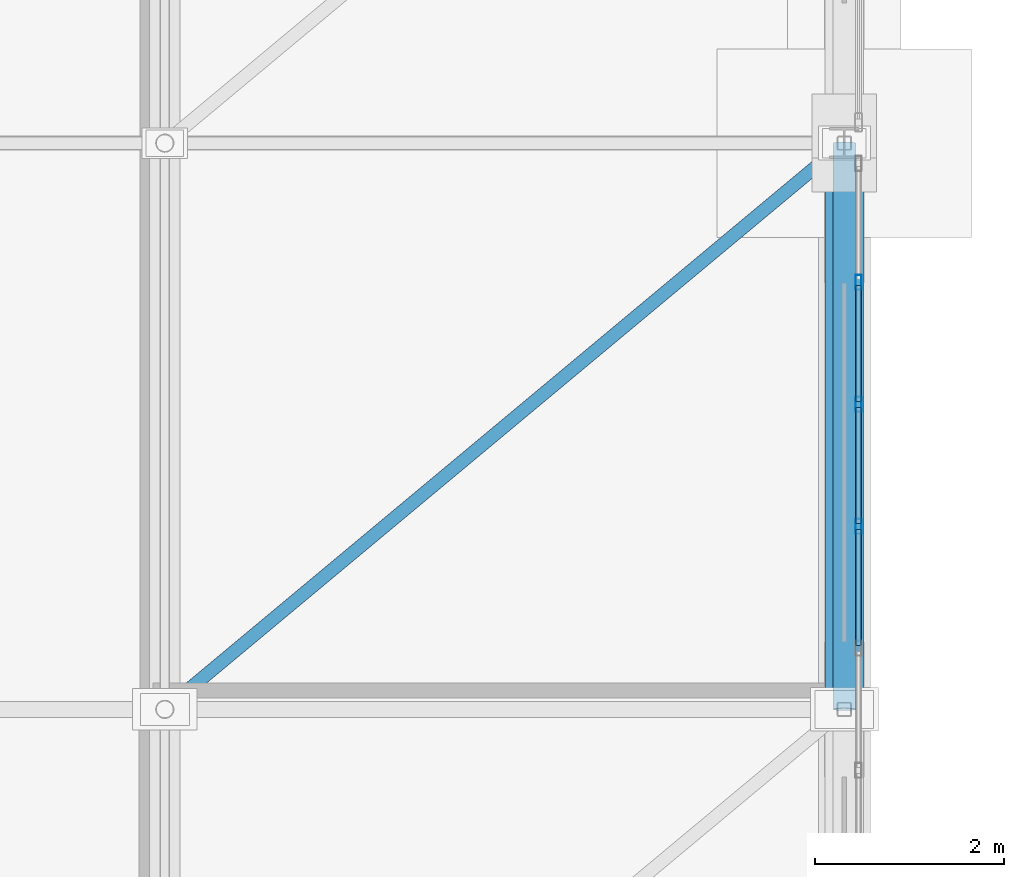
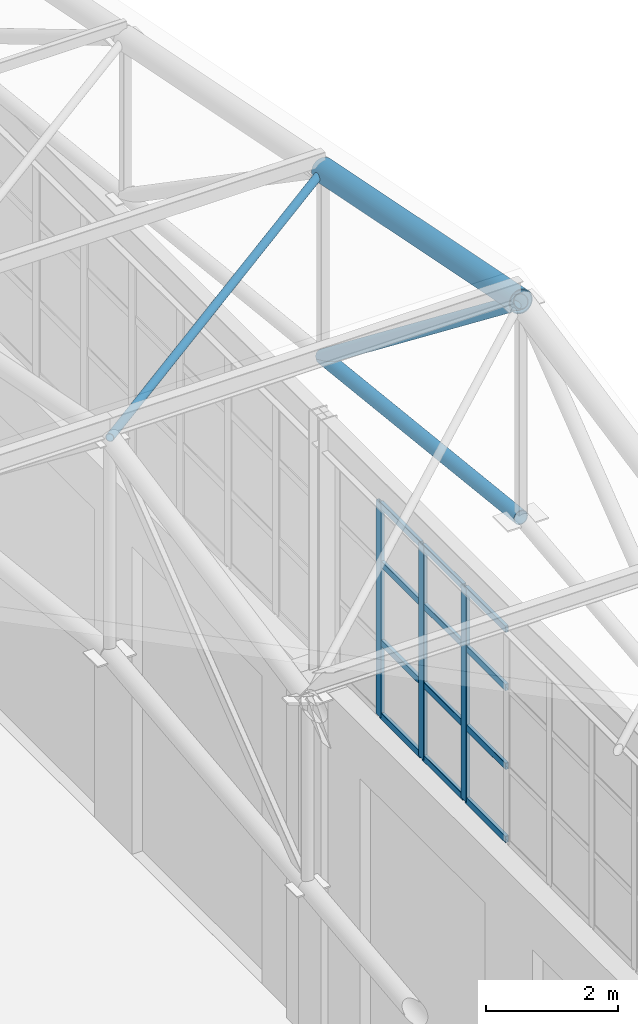
# One storey, part 193 of 293: 19 members, 1 element without a shape of its own.
"""IFC4 building model written with IfcOpenShell, lengths in metres."""

from ifc_helpers import new_model, si_unit, direction, frame, origin, origin_2d, place, context, subcontext, project, spatial, hollow_rectangle, hollow_circle, extrude, material, layer, layer_set, material_profile, profile_set, type_object, element, aggregate, save


model = new_model("IFC4")

# Units and contexts
model_context = context("Model", 3, precision=1e-05, world=origin(), true_north=direction((0.0, 1.0)))
body_context = subcontext(model_context, "Body", "Model", "MODEL_VIEW")
ifc_project = project(units=[si_unit("LENGTHUNIT", "METRE"), si_unit("AREAUNIT", "SQUARE_METRE"), si_unit("VOLUMEUNIT", "CUBIC_METRE"), si_unit("PLANEANGLEUNIT", "RADIAN"), si_unit("MASSUNIT", "GRAM", prefix="KILO")], contexts=[model_context])

# Site, building, storey
site_placement = place(None, origin())
site = spatial("IfcSite", under=ifc_project, at=site_placement, CompositionType="ELEMENT")
building_placement = place(site_placement, origin())
building = spatial("IfcBuilding", under=site, at=building_placement, Name="Kemerveld Promenade Tramway Depot", CompositionType="ELEMENT")
storey_placement = place(building_placement, origin())
storey = spatial("IfcBuildingStorey", under=building, at=storey_placement, Name="L00", CompositionType="ELEMENT", Elevation=0.0)

# Curtain wall, members
ifc_material_1 = material(Name="Bronze anodised aluminium and solar glass", Category="aluminium")
ifc_layer = layer(ifc_material_1, 0.159912109375)
ifc_layer_set = layer_set([ifc_layer], Name="CW-SYS-13")
curtain_wall_type = type_object("IfcCurtainWallType", Name="CW-SYS-13", PredefinedType="USERDEFINED", material=ifc_layer_set)
curtain_wall_placement = place(storey_placement, origin())
curtain_wall = element("IfcCurtainWall", 1, at=curtain_wall_placement, inside=storey, type_object=curtain_wall_type, Name="CW-V1-E-03", ObjectType="GLAZED_CURTAIN_WALL", PredefinedType="USERDEFINED")
ifc_material_2 = material(Name="Bronze anodised aluminium", Category="aluminium")
ifc_material_profile_1 = material_profile(ifc_material_2, hollow_rectangle(XDim=0.06494140625, YDim=0.159912109375, WallThickness=0.00390625, InnerFilletRadius=0.001953125, OuterFilletRadius=0.00390625, at=origin_2d()), Name="CW-MUL-160x65")
ifc_profile_set_1 = profile_set([ifc_material_profile_1], Name="Bronze anodised aluminium")
member_type_1 = type_object("IfcMemberType", Name="CW-MUL-A", PredefinedType="MULLION", material=ifc_profile_set_1)
member_1_placement = place(storey_placement, frame((187.35009765625, 118.52392578125, 6.64990234375), z_axis=(0.0, 0.0, 1.0), x_axis=(1.0, 0.0, 0.0)))
member_1 = element("IfcMember", 2, at=member_1_placement, type_object=member_type_1, Name="CW13 mullion 2", PredefinedType="MULLION", context=body_context, shape_type="SweptSolid", body=[
    extrude(hollow_rectangle(XDim=0.06494140625, YDim=0.159912109375, WallThickness=0.00390625, InnerFilletRadius=0.001953125, OuterFilletRadius=0.00390625, at=origin_2d()), origin(), (0.0, 0.0, 1.0), 3.9501953125),
])
member_2_placement = place(storey_placement, frame((187.35009765625, 117.2314453125, 6.64990234375), z_axis=(0.0, 0.0, 1.0), x_axis=(1.0, 0.0, 0.0)))
member_2 = element("IfcMember", 3, at=member_2_placement, type_object=member_type_1, Name="CW13 mullion 3", PredefinedType="MULLION", context=body_context, shape_type="SweptSolid", body=[
    extrude(hollow_rectangle(XDim=0.06494140625, YDim=0.159912109375, WallThickness=0.00390625, InnerFilletRadius=0.001953125, OuterFilletRadius=0.00390625, at=origin_2d()), origin(), (0.0, 0.0, 1.0), 3.9501953125),
])
member_3_placement = place(storey_placement, frame((187.35009765625, 115.938720703125, 6.64990234375), z_axis=(0.0, 0.0, 1.0), x_axis=(1.0, 0.0, 0.0)))
member_3 = element("IfcMember", 4, at=member_3_placement, type_object=member_type_1, Name="CW13 mullion 4", PredefinedType="MULLION", context=body_context, shape_type="SweptSolid", body=[
    extrude(hollow_rectangle(XDim=0.06494140625, YDim=0.159912109375, WallThickness=0.00390625, InnerFilletRadius=0.001953125, OuterFilletRadius=0.00390625, at=origin_2d()), origin(), (0.0, 0.0, 1.0), 3.9501953125),
])
ifc_material_profile_2 = material_profile(ifc_material_2, hollow_rectangle(XDim=0.06005859375, YDim=0.1201171875, WallThickness=0.00390625, InnerFilletRadius=0.001953125, OuterFilletRadius=0.00390625, at=origin_2d()), Name="CW-TRN-120x60")
ifc_profile_set_2 = profile_set([ifc_material_profile_2], Name="Bronze anodised aluminium")
member_type_2 = type_object("IfcMemberType", Name="CW-TRN-A", PredefinedType="USERDEFINED", material=ifc_profile_set_2)
member_4_placement = place(storey_placement, frame((187.35009765625, 118.491455078125, 6.679931640625), z_axis=(0.0, -1.0, 0.0), x_axis=(1.0, 0.0, 0.0)))
member_4 = element("IfcMember", 5, at=member_4_placement, type_object=member_type_2, Name="CW13 transom 2.1", ObjectType="TRANSOM", PredefinedType="USERDEFINED", context=body_context, shape_type="SweptSolid", body=[
    extrude(hollow_rectangle(XDim=0.06005859375, YDim=0.1201171875, WallThickness=0.00390625, InnerFilletRadius=0.001953125, OuterFilletRadius=0.00390625, at=origin_2d()), origin(), (0.0, 0.0, 1.0), 1.2275390625),
])
member_5_placement = place(storey_placement, frame((187.35009765625, 118.491455078125, 8.032958984375), z_axis=(0.0, -1.0, 0.0), x_axis=(1.0, 0.0, 0.0)))
member_5 = element("IfcMember", 6, at=member_5_placement, type_object=member_type_2, Name="CW13 transom 2.2", ObjectType="TRANSOM", PredefinedType="USERDEFINED", context=body_context, shape_type="SweptSolid", body=[
    extrude(hollow_rectangle(XDim=0.06005859375, YDim=0.1201171875, WallThickness=0.00390625, InnerFilletRadius=0.001953125, OuterFilletRadius=0.00390625, at=origin_2d()), origin(), (0.0, 0.0, 1.0), 1.2275390625),
])
member_6_placement = place(storey_placement, frame((187.35009765625, 118.491455078125, 9.493896484375), z_axis=(0.0, -1.0, 0.0), x_axis=(1.0, 0.0, 0.0)))
member_6 = element("IfcMember", 7, at=member_6_placement, type_object=member_type_2, Name="CW13 transom 2.3", ObjectType="TRANSOM", PredefinedType="USERDEFINED", context=body_context, shape_type="SweptSolid", body=[
    extrude(hollow_rectangle(XDim=0.06005859375, YDim=0.1201171875, WallThickness=0.00390625, InnerFilletRadius=0.001953125, OuterFilletRadius=0.00390625, at=origin_2d()), origin(), (0.0, 0.0, 1.0), 1.2275390625),
])
member_7_placement = place(storey_placement, frame((187.35009765625, 118.491455078125, 10.570068359375), z_axis=(0.0, -1.0, 0.0), x_axis=(1.0, 0.0, 0.0)))
member_7 = element("IfcMember", 8, at=member_7_placement, type_object=member_type_2, Name="CW13 transom 2.4", ObjectType="TRANSOM", PredefinedType="USERDEFINED", context=body_context, shape_type="SweptSolid", body=[
    extrude(hollow_rectangle(XDim=0.06005859375, YDim=0.1201171875, WallThickness=0.00390625, InnerFilletRadius=0.001953125, OuterFilletRadius=0.00390625, at=origin_2d()), origin(), (0.0, 0.0, 1.0), 1.2275390625),
])
member_8_placement = place(storey_placement, frame((187.35009765625, 117.198974609375, 6.679931640625), z_axis=(0.0, -1.0, 0.0), x_axis=(1.0, 0.0, 0.0)))
member_8 = element("IfcMember", 9, at=member_8_placement, type_object=member_type_2, Name="CW13 transom 3.1", ObjectType="TRANSOM", PredefinedType="USERDEFINED", context=body_context, shape_type="SweptSolid", body=[
    extrude(hollow_rectangle(XDim=0.06005859375, YDim=0.1201171875, WallThickness=0.00390625, InnerFilletRadius=0.001953125, OuterFilletRadius=0.00390625, at=origin_2d()), origin(), (0.0, 0.0, 1.0), 1.2275390625),
])
member_9_placement = place(storey_placement, frame((187.35009765625, 117.198974609375, 8.032958984375), z_axis=(0.0, -1.0, 0.0), x_axis=(1.0, 0.0, 0.0)))
member_9 = element("IfcMember", 10, at=member_9_placement, type_object=member_type_2, Name="CW13 transom 3.2", ObjectType="TRANSOM", PredefinedType="USERDEFINED", context=body_context, shape_type="SweptSolid", body=[
    extrude(hollow_rectangle(XDim=0.06005859375, YDim=0.1201171875, WallThickness=0.00390625, InnerFilletRadius=0.001953125, OuterFilletRadius=0.00390625, at=origin_2d()), origin(), (0.0, 0.0, 1.0), 1.2275390625),
])
member_10_placement = place(storey_placement, frame((187.35009765625, 117.198974609375, 9.493896484375), z_axis=(0.0, -1.0, 0.0), x_axis=(1.0, 0.0, 0.0)))
member_10 = element("IfcMember", 11, at=member_10_placement, type_object=member_type_2, Name="CW13 transom 3.3", ObjectType="TRANSOM", PredefinedType="USERDEFINED", context=body_context, shape_type="SweptSolid", body=[
    extrude(hollow_rectangle(XDim=0.06005859375, YDim=0.1201171875, WallThickness=0.00390625, InnerFilletRadius=0.001953125, OuterFilletRadius=0.00390625, at=origin_2d()), origin(), (0.0, 0.0, 1.0), 1.2275390625),
])
member_11_placement = place(storey_placement, frame((187.35009765625, 117.198974609375, 10.570068359375), z_axis=(0.0, -1.0, 0.0), x_axis=(1.0, 0.0, 0.0)))
member_11 = element("IfcMember", 12, at=member_11_placement, type_object=member_type_2, Name="CW13 transom 3.4", ObjectType="TRANSOM", PredefinedType="USERDEFINED", context=body_context, shape_type="SweptSolid", body=[
    extrude(hollow_rectangle(XDim=0.06005859375, YDim=0.1201171875, WallThickness=0.00390625, InnerFilletRadius=0.001953125, OuterFilletRadius=0.00390625, at=origin_2d()), origin(), (0.0, 0.0, 1.0), 1.2275390625),
])
member_12_placement = place(storey_placement, frame((187.35009765625, 115.90625, 6.679931640625), z_axis=(0.0, -1.0, 0.0), x_axis=(1.0, 0.0, 0.0)))
member_12 = element("IfcMember", 13, at=member_12_placement, type_object=member_type_2, Name="CW13 transom 4.1", ObjectType="TRANSOM", PredefinedType="USERDEFINED", context=body_context, shape_type="SweptSolid", body=[
    extrude(hollow_rectangle(XDim=0.06005859375, YDim=0.1201171875, WallThickness=0.00390625, InnerFilletRadius=0.001953125, OuterFilletRadius=0.00390625, at=origin_2d()), origin(), (0.0, 0.0, 1.0), 1.2275390625),
])
member_13_placement = place(storey_placement, frame((187.35009765625, 115.90625, 8.032958984375), z_axis=(0.0, -1.0, 0.0), x_axis=(1.0, 0.0, 0.0)))
member_13 = element("IfcMember", 14, at=member_13_placement, type_object=member_type_2, Name="CW13 transom 4.2", ObjectType="TRANSOM", PredefinedType="USERDEFINED", context=body_context, shape_type="SweptSolid", body=[
    extrude(hollow_rectangle(XDim=0.06005859375, YDim=0.1201171875, WallThickness=0.00390625, InnerFilletRadius=0.001953125, OuterFilletRadius=0.00390625, at=origin_2d()), origin(), (0.0, 0.0, 1.0), 1.2275390625),
])
member_14_placement = place(storey_placement, frame((187.35009765625, 115.90625, 9.493896484375), z_axis=(0.0, -1.0, 0.0), x_axis=(1.0, 0.0, 0.0)))
member_14 = element("IfcMember", 15, at=member_14_placement, type_object=member_type_2, Name="CW13 transom 4.3", ObjectType="TRANSOM", PredefinedType="USERDEFINED", context=body_context, shape_type="SweptSolid", body=[
    extrude(hollow_rectangle(XDim=0.06005859375, YDim=0.1201171875, WallThickness=0.00390625, InnerFilletRadius=0.001953125, OuterFilletRadius=0.00390625, at=origin_2d()), origin(), (0.0, 0.0, 1.0), 1.2275390625),
])
member_15_placement = place(storey_placement, frame((187.35009765625, 115.90625, 10.570068359375), z_axis=(0.0, -1.0, 0.0), x_axis=(1.0, 0.0, 0.0)))
member_15 = element("IfcMember", 16, at=member_15_placement, type_object=member_type_2, Name="CW13 transom 4.4", ObjectType="TRANSOM", PredefinedType="USERDEFINED", context=body_context, shape_type="SweptSolid", body=[
    extrude(hollow_rectangle(XDim=0.06005859375, YDim=0.1201171875, WallThickness=0.00390625, InnerFilletRadius=0.001953125, OuterFilletRadius=0.00390625, at=origin_2d()), origin(), (0.0, 0.0, 1.0), 1.2275390625),
])
aggregate(curtain_wall, [member_1, member_2, member_3, member_4, member_5, member_6, member_7, member_8, member_9, member_10, member_11, member_12, member_13, member_14, member_15])

# Members
ifc_material_3 = material(Name="Steel S355", Category="steel")
ifc_material_profile_3 = material_profile(ifc_material_3, hollow_circle(Radius=0.122314453125, WallThickness=0.010009765625, at=origin_2d()), Name="244.5x10.0 CHS")
ifc_profile_set_3 = profile_set([ifc_material_profile_3], Name="Steel S355")
member_type_3 = type_object("IfcMemberType", Name="MB-TB1", PredefinedType="BRACE", material=ifc_profile_set_3)
member_16_placement = place(storey_placement, frame((187.199951171875, 120.0, 12.43994140625), z_axis=(0.0, -0.789767329101, 0.613406525793), x_axis=(1.0, 0.0, 0.0)))
element("IfcMember", 17, at=member_16_placement, inside=storey, type_object=member_type_3, Name="TR-27-DG-06", PredefinedType="BRACE", context=body_context, shape_type="SweptSolid", body=[
    extrude(hollow_circle(Radius=0.122314453125, WallThickness=0.010009765625, at=origin_2d()), origin(), (0.0, 0.0, 1.0), 7.59716796875),
])
ifc_material_profile_4 = material_profile(ifc_material_3, hollow_circle(Radius=0.06982421875, WallThickness=0.00634765625, at=origin_2d()), Name="139.7x6.3 CHS")
ifc_profile_set_4 = profile_set([ifc_material_profile_4], Name="Steel S355")
member_type_4 = type_object("IfcMemberType", Name="MB-TB3", PredefinedType="BRACE", material=ifc_profile_set_4)
member_17_placement = place(storey_placement, frame((180.0, 114.0, 17.10009765625), z_axis=(0.761996594365, 0.63500146835, -0.127020964291), x_axis=(-0.640186961885, 0.768219144407, 0.0)))
element("IfcMember", 18, at=member_17_placement, inside=storey, type_object=member_type_4, Name="RBR-V1-05-26", PredefinedType="BRACE", context=body_context, shape_type="SweptSolid", body=[
    extrude(hollow_circle(Radius=0.06982421875, WallThickness=0.00634765625, at=origin_2d()), origin(), (0.0, 0.0, 1.0), 9.44873046875),
])
ifc_material_profile_5 = material_profile(ifc_material_3, hollow_circle(Radius=0.203125, WallThickness=0.01611328125, at=origin_2d()), Name="406.4x16.0 CHS")
ifc_profile_set_5 = profile_set([ifc_material_profile_5], Name="Steel S355")
member_type_5 = type_object("IfcMemberType", Name="MB-TC1", PredefinedType="CHORD", material=ifc_profile_set_5)
member_18_placement = place(storey_placement, frame((187.199951171875, 114.0, 17.10009765625), z_axis=(0.0, 0.980574536798, -0.196146827104), x_axis=(-1.0, 0.0, 0.0)))
element("IfcMember", 19, at=member_18_placement, inside=storey, type_object=member_type_5, Name="TR-27-TC-06", PredefinedType="CHORD", context=body_context, shape_type="SweptSolid", body=[
    extrude(hollow_circle(Radius=0.203125, WallThickness=0.01611328125, at=origin_2d()), origin(), (0.0, 0.0, 1.0), 6.118896484375),
])
ifc_material_profile_6 = material_profile(ifc_material_3, hollow_circle(Radius=0.122314453125, WallThickness=0.010009765625, at=origin_2d()), Name="244.5x10.0 CHS")
ifc_profile_set_6 = profile_set([ifc_material_profile_6], Name="Steel S355")
member_type_6 = type_object("IfcMemberType", Name="MB-TC3", PredefinedType="CHORD", material=ifc_profile_set_6)
member_19_placement = place(storey_placement, frame((187.199951171875, 114.0, 13.10009765625), z_axis=(0.0, 0.994001542248, -0.109366055104), x_axis=(-1.0, 0.0, 0.0)))
element("IfcMember", 20, at=member_19_placement, inside=storey, type_object=member_type_6, Name="TR-27-BC-06", PredefinedType="CHORD", context=body_context, shape_type="SweptSolid", body=[
    extrude(hollow_circle(Radius=0.122314453125, WallThickness=0.010009765625, at=origin_2d()), origin(), (0.0, 0.0, 1.0), 6.0361328125),
])

save(model, "model.ifc")
